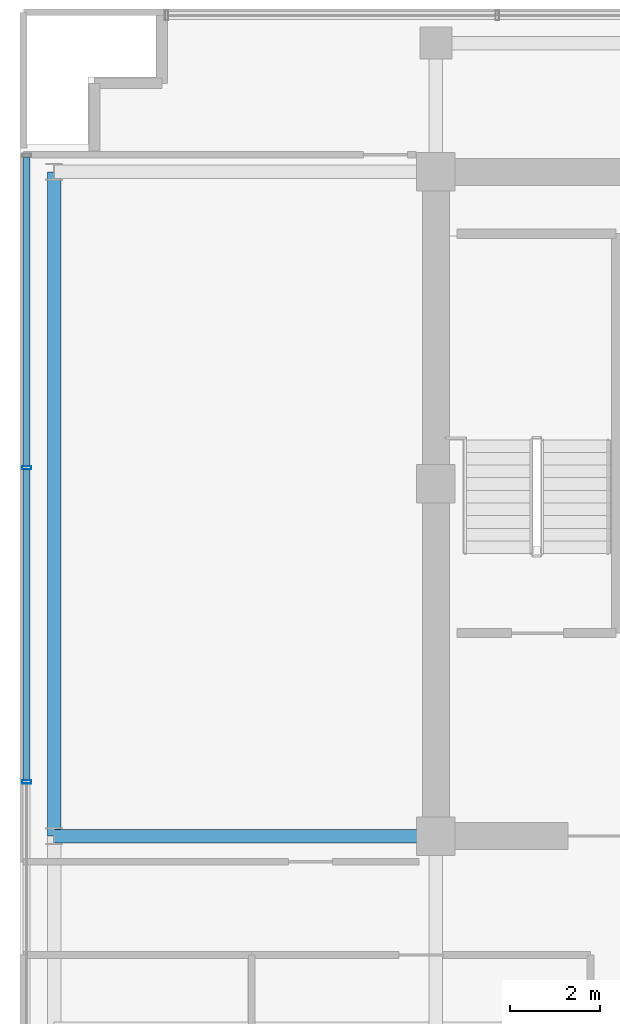
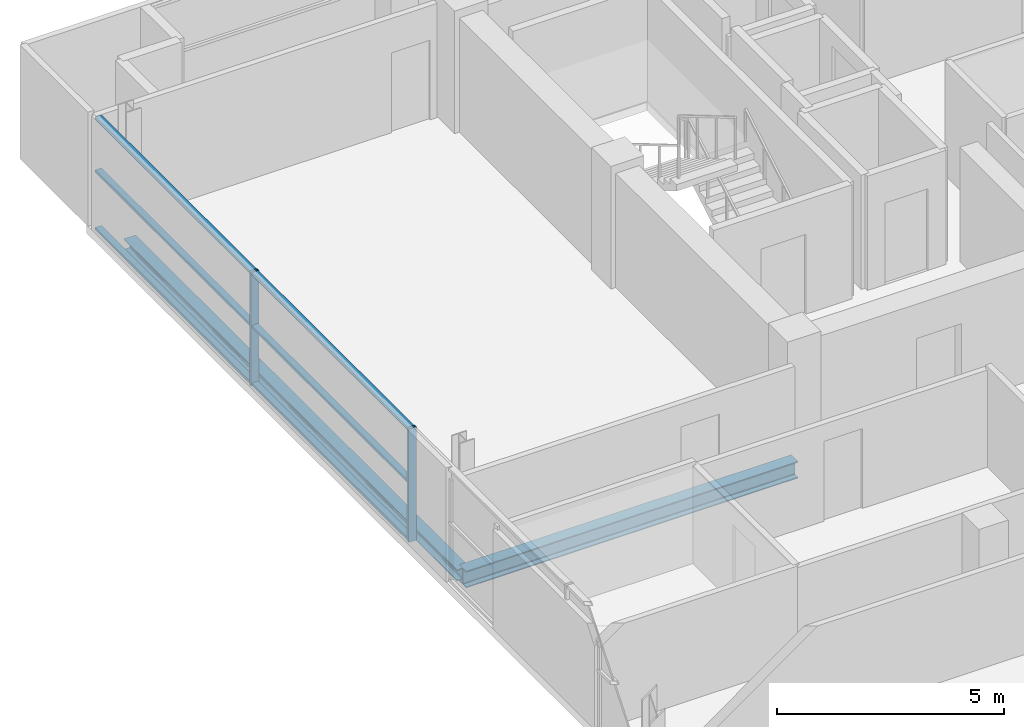
# One storey, part 9 of 23: 8 members, 2 beams, 1 element without a shape of its own.
"""IFC4 building model written with IfcOpenShell, lengths in metres."""

from ifc_helpers import new_model, si_unit, direction, frame, origin, origin_2d, place, context, subcontext, project, spatial, hollow_rectangle, i_section, extrude, source, transform, mapped, material, layer, layer_set, material_profile, profile_set, type_object, element, aggregate, save


model = new_model("IFC4")

# Units and contexts
model_context = context("Model", 3, precision=1e-05, world=origin(), true_north=direction((0.0, 1.0)))
body_context = subcontext(model_context, "Body", "Model", "MODEL_VIEW")
ifc_project = project(units=[si_unit("LENGTHUNIT", "METRE"), si_unit("AREAUNIT", "SQUARE_METRE"), si_unit("VOLUMEUNIT", "CUBIC_METRE"), si_unit("PLANEANGLEUNIT", "RADIAN"), si_unit("MASSUNIT", "GRAM", prefix="KILO")], contexts=[model_context])

# Site, building, storey
site_placement = place(None, origin())
site = spatial("IfcSite", under=ifc_project, at=site_placement, CompositionType="ELEMENT")
building_placement = place(site_placement, origin())
building = spatial("IfcBuilding", under=site, at=building_placement, Name="Zarnakvel Exchange Tower", CompositionType="ELEMENT")
storey_placement = place(building_placement, frame((0.0, 0.0, 218.800048828125)))
storey = spatial("IfcBuildingStorey", under=building, at=storey_placement, Name="L61", CompositionType="ELEMENT", Elevation=218.800048828125)

# Beams
ifc_material_1 = material(Name="Steel S355", Category="steel")
ifc_material_profile_1 = material_profile(ifc_material_1, i_section(OverallWidth=0.300048828125, OverallDepth=0.449951171875, WebThickness=0.013916015625, FlangeThickness=0.02587890625, FilletRadius=0.027099609375, at=origin_2d()))
ifc_profile_set_1 = profile_set([ifc_material_profile_1], Name="Steel S355")
beam_type_1 = type_object("IfcBeamType", Name="G-07", PredefinedType="BEAM", material=ifc_profile_set_1)
beam_1_placement = place(storey_placement, frame((-22.85009765625, -1.199951171875, -0.449951171875), z_axis=(1.0, 0.0, 0.0), x_axis=(0.0, 1.0, 0.0)))
element("IfcBeam", 1, at=beam_1_placement, inside=storey, type_object=beam_type_1, Name="L61 Tower E-W Frame Beam", PredefinedType="BEAM", context=body_context, shape_type="SweptSolid", body=[
    extrude(i_section(OverallWidth=0.300048828125, OverallDepth=0.449951171875, WebThickness=0.013916015625, FlangeThickness=0.02587890625, FilletRadius=0.027099609375, at=origin_2d()), origin(), (0.0, 0.0, 1.0), 8.4501953125),
])
ifc_material_profile_2 = material_profile(ifc_material_1, i_section(OverallWidth=0.300048828125, OverallDepth=0.300048828125, WebThickness=0.010986328125, FlangeThickness=0.01904296875, FilletRadius=0.027099609375, at=origin_2d()))
ifc_profile_set_2 = profile_set([ifc_material_profile_2], Name="Steel S355")
beam_type_2 = type_object("IfcBeamType", Name="SP-03", PredefinedType="SPANDREL", material=ifc_profile_set_2)
beam_2_placement = place(storey_placement, frame((-22.85009765625, -1.199951171875, -0.375), z_axis=(0.0, 1.0, 0.0), x_axis=(-1.0, 0.0, 0.0)))
element("IfcBeam", 2, at=beam_2_placement, inside=storey, type_object=beam_type_2, Name="L61 Tower N-S Frame Beam", PredefinedType="SPANDREL", context=body_context, shape_type="SweptSolid", body=[
    extrude(i_section(OverallWidth=0.300048828125, OverallDepth=0.300048828125, WebThickness=0.010986328125, FlangeThickness=0.01904296875, FilletRadius=0.027099609375, at=origin_2d()), origin(), (0.0, 0.0, 1.0), 14.699951171875),
])

# Curtain wall, members
ifc_material_2 = material(Name="Architectural Bronze Anodised Aluminium", Category="aluminium")
ifc_layer = layer(ifc_material_2, 0.199951171875)
ifc_layer_set = layer_set([ifc_layer], Name="Architectural Bronze Anodised Aluminium")
curtain_wall_type = type_object("IfcCurtainWallType", Name="CW-04", PredefinedType="NOTDEFINED", material=ifc_layer_set)
curtain_wall_placement = place(storey_placement, origin())
curtain_wall = element("IfcCurtainWall", 3, at=curtain_wall_placement, inside=storey, type_object=curtain_wall_type, Name="L61 Curtain Wall CW-L61-W1 (CW-04)", PredefinedType="NOTDEFINED")
ifc_material_profile_3 = material_profile(ifc_material_2, hollow_rectangle(XDim=0.199951171875, YDim=0.074951171875, WallThickness=0.0048828125, at=origin_2d()))
ifc_profile_set_3 = profile_set([ifc_material_profile_3], Name="Architectural Bronze Anodised Aluminium")
member_type_1 = type_object("IfcMemberType", Name="CWM-04", PredefinedType="MULLION", material=ifc_profile_set_3)
shared_shape_1 = source(origin(), body_context, "Body", "SweptSolid", [
    extrude(hollow_rectangle(XDim=0.199951171875, YDim=0.074951171875, WallThickness=0.0048828125, at=origin_2d()), origin(), (0.0, 0.0, 1.0), 3.054931640625),
])
member_1_placement = place(storey_placement, frame((-23.4599609375, 0.0, 0.0), z_axis=(0.0, 0.0, 1.0), x_axis=(-1.0, 0.0, 0.0)))
member_1 = element("IfcMember", 4, at=member_1_placement, type_object=member_type_1, Name="CW-04 mullion 3", PredefinedType="MULLION", context=body_context, shape_type="MappedRepresentation", body=[
    mapped(shared_shape_1, transform((0.0, 0.0, 0.0), x_axis=(1.0, 0.0, 0.0), y_axis=(0.0, 1.0, 0.0), z_axis=(0.0, 0.0, 1.0), scale=1.0)),
])
member_2_placement = place(storey_placement, frame((-23.4599609375, 6.949951171875, 0.0), z_axis=(0.0, 0.0, 1.0), x_axis=(-1.0, 0.0, 0.0)))
member_2 = element("IfcMember", 5, at=member_2_placement, type_object=member_type_1, Name="CW-04 mullion 4", PredefinedType="MULLION", context=body_context, shape_type="MappedRepresentation", body=[
    mapped(shared_shape_1, transform((0.0, 0.0, 0.0), x_axis=(1.0, 0.0, 0.0), y_axis=(0.0, 1.0, 0.0), z_axis=(0.0, 0.0, 1.0), scale=1.0)),
])
ifc_material_profile_4 = material_profile(ifc_material_2, hollow_rectangle(XDim=0.159912109375, YDim=0.074951171875, WallThickness=0.00390625, at=origin_2d()))
ifc_profile_set_4 = profile_set([ifc_material_profile_4], Name="Architectural Bronze Anodised Aluminium")
member_type_2 = type_object("IfcMemberType", Name="CWT-04", PredefinedType="USERDEFINED", material=ifc_profile_set_4)
shared_shape_2 = source(origin(), body_context, "Body", "SweptSolid", [
    extrude(hollow_rectangle(XDim=0.159912109375, YDim=0.074951171875, WallThickness=0.00390625, at=origin_2d()), origin(), (0.0, 0.0, 1.0), 6.83740234375),
])
member_3_placement = place(storey_placement, frame((-23.4599609375, 6.987548828125, 0.037353515625), z_axis=(0.0, 1.0, 0.0), x_axis=(-1.0, 0.0, 0.0)))
member_3 = element("IfcMember", 6, at=member_3_placement, type_object=member_type_2, Name="CW-04 transom 4.1", ObjectType="TRANSOM", PredefinedType="USERDEFINED", context=body_context, shape_type="MappedRepresentation", body=[
    mapped(shared_shape_2, transform((0.0, 0.0, 0.0), x_axis=(1.0, 0.0, 0.0), y_axis=(0.0, 1.0, 0.0), z_axis=(0.0, 0.0, 1.0), scale=1.0)),
])
member_4_placement = place(storey_placement, frame((-23.4599609375, 6.987548828125, 1.588623046875), z_axis=(0.0, 1.0, 0.0), x_axis=(-1.0, 0.0, 0.0)))
member_4 = element("IfcMember", 7, at=member_4_placement, type_object=member_type_2, Name="CW-04 transom 4.2", ObjectType="TRANSOM", PredefinedType="USERDEFINED", context=body_context, shape_type="MappedRepresentation", body=[
    mapped(shared_shape_2, transform((0.0, 0.0, 0.0), x_axis=(1.0, 0.0, 0.0), y_axis=(0.0, 1.0, 0.0), z_axis=(0.0, 0.0, 1.0), scale=1.0)),
])
member_5_placement = place(storey_placement, frame((-23.4599609375, 6.987548828125, 3.017333984375), z_axis=(0.0, 1.0, 0.0), x_axis=(-1.0, 0.0, 0.0)))
member_5 = element("IfcMember", 8, at=member_5_placement, type_object=member_type_2, Name="CW-04 transom 4.3", ObjectType="TRANSOM", PredefinedType="USERDEFINED", context=body_context, shape_type="MappedRepresentation", body=[
    mapped(shared_shape_2, transform((0.0, 0.0, 0.0), x_axis=(1.0, 0.0, 0.0), y_axis=(0.0, 1.0, 0.0), z_axis=(0.0, 0.0, 1.0), scale=1.0)),
])
shared_shape_3 = source(origin(), body_context, "Body", "SweptSolid", [
    extrude(hollow_rectangle(XDim=0.159912109375, YDim=0.074951171875, WallThickness=0.00390625, at=origin_2d()), origin(), (0.0, 0.0, 1.0), 6.875),
])
member_6_placement = place(storey_placement, frame((-23.4599609375, 0.03759765625, 0.037353515625), z_axis=(0.0, 1.0, 0.0), x_axis=(-1.0, 0.0, 0.0)))
member_6 = element("IfcMember", 9, at=member_6_placement, type_object=member_type_2, Name="CW-04 transom 3.1", ObjectType="TRANSOM", PredefinedType="USERDEFINED", context=body_context, shape_type="MappedRepresentation", body=[
    mapped(shared_shape_3, transform((0.0, 0.0, 0.0), x_axis=(1.0, 0.0, 0.0), y_axis=(0.0, 1.0, 0.0), z_axis=(0.0, 0.0, 1.0), scale=1.0)),
])
member_7_placement = place(storey_placement, frame((-23.4599609375, 0.03759765625, 1.588623046875), z_axis=(0.0, 1.0, 0.0), x_axis=(-1.0, 0.0, 0.0)))
member_7 = element("IfcMember", 10, at=member_7_placement, type_object=member_type_2, Name="CW-04 transom 3.2", ObjectType="TRANSOM", PredefinedType="USERDEFINED", context=body_context, shape_type="MappedRepresentation", body=[
    mapped(shared_shape_3, transform((0.0, 0.0, 0.0), x_axis=(1.0, 0.0, 0.0), y_axis=(0.0, 1.0, 0.0), z_axis=(0.0, 0.0, 1.0), scale=1.0)),
])
member_8_placement = place(storey_placement, frame((-23.4599609375, 0.03759765625, 3.017333984375), z_axis=(0.0, 1.0, 0.0), x_axis=(-1.0, 0.0, 0.0)))
member_8 = element("IfcMember", 11, at=member_8_placement, type_object=member_type_2, Name="CW-04 transom 3.3", ObjectType="TRANSOM", PredefinedType="USERDEFINED", context=body_context, shape_type="MappedRepresentation", body=[
    mapped(shared_shape_3, transform((0.0, 0.0, 0.0), x_axis=(1.0, 0.0, 0.0), y_axis=(0.0, 1.0, 0.0), z_axis=(0.0, 0.0, 1.0), scale=1.0)),
])
aggregate(curtain_wall, [member_1, member_2, member_6, member_7, member_8, member_3, member_4, member_5])

save(model, "model.ifc")
